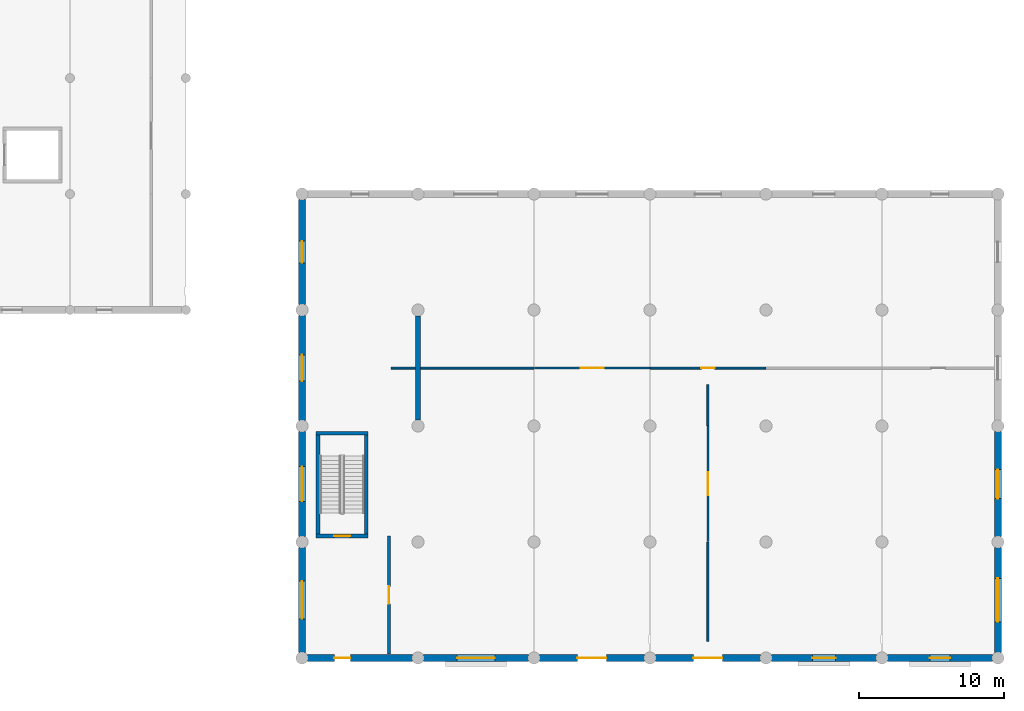
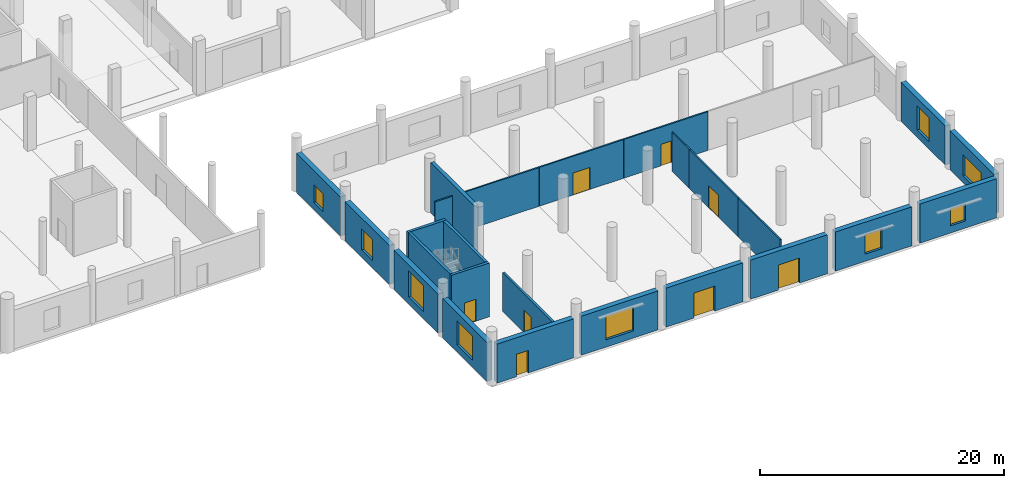
# One storey, part 28 of 42: 25 walls, 9 windows, 8 doors, 17 openings.
"""IFC4 building model written with IfcOpenShell, lengths in metres."""

import ifcopenshell
import ifcopenshell.guid

model = None  # the IFC model being written
_history = None  # IfcOwnerHistory: only IFC2X3 demands one
_inside = {}  # id of a spatial element -> (the spatial element, [elements in it])
_under = {}  # id of a project, library or spatial element -> (it, [spatial elements below it])
_declared = {}  # id of a project -> (the project, [libraries it declares])
_typed = {}  # id of a type object -> (the type object, [elements of that type])
_made_of = {}  # id of a material, layer set ... -> (it, [elements and type objects made of it])


def new_model(schema):
    """Start an empty IFC model of exactly this schema.

    Asked for "IFC4X3", IfcOpenShell would pick the latest addendum, in which some entities
    have other attributes; the version numbers below select the first issue.
    IFC2X3 requires an IfcOwnerHistory on every rooted entity: one is made here for all.
    """
    global model, _history
    if schema == "IFC4X3":
        model = ifcopenshell.file(schema_version=(4, 3, 0, 0))
    else:
        model = ifcopenshell.file(schema=schema)
    _inside.clear()
    _under.clear()
    _declared.clear()
    _typed.clear()
    _made_of.clear()
    _history = None
    if model.schema == "IFC2X3":
        org = make("IfcOrganization", Name="unknown")
        user = make(
            "IfcPersonAndOrganization",
            ThePerson=make("IfcPerson", FamilyName="unknown"),
            TheOrganization=org,
        )
        app = make(
            "IfcApplication",
            ApplicationDeveloper=org,
            Version="unknown",
            ApplicationFullName="unknown",
            ApplicationIdentifier="unknown",
        )
        _history = make(
            "IfcOwnerHistory",
            OwningUser=user,
            OwningApplication=app,
            ChangeAction="ADDED",
            CreationDate=0,
        )
    return model


def make(cls, **values):
    """One entity of the class cls with the attributes given. An attribute that is None is left unset."""
    return model.create_entity(
        cls, **{name: value for name, value in values.items() if value is not None}
    )


def rooted(cls, **values):
    """An entity with a GlobalId (a new one), such as an element, a storey or a relation."""
    return make(cls, GlobalId=ifcopenshell.guid.new(), OwnerHistory=_history, **values)


def si_unit(unit_type, name, prefix=None):
    """IfcSIUnit, for example si_unit("LENGTHUNIT", "METRE", prefix="MILLI")."""
    return make("IfcSIUnit", UnitType=unit_type, Prefix=prefix, Name=name)


def assignment(units):
    """IfcUnitAssignment: the units of a project."""
    return None if units is None else make("IfcUnitAssignment", Units=units)


def point(xyz):
    """IfcCartesianPoint."""
    return None if xyz is None else make("IfcCartesianPoint", Coordinates=xyz)


def direction(xyz):
    """IfcDirection."""
    return None if xyz is None else make("IfcDirection", DirectionRatios=xyz)


def frame(location, z_axis=None, x_axis=None):
    """IfcAxis2Placement3D, a coordinate frame: its origin and axes. An axis left out is left unset."""
    return make(
        "IfcAxis2Placement3D",
        Location=point(location),
        Axis=direction(z_axis),
        RefDirection=direction(x_axis),
    )


def frame_2d(location, x_axis=None):
    """IfcAxis2Placement2D, a coordinate frame in the plane: its origin and x axis."""
    return make(
        "IfcAxis2Placement2D", Location=point(location), RefDirection=direction(x_axis)
    )


def origin():
    """The frame at (0, 0, 0) with its axes left unset."""
    return frame((0.0, 0.0, 0.0))


def place(relative_to, where):
    """IfcLocalPlacement: puts the frame where relative to a parent placement (None: the world)."""
    return make(
        "IfcLocalPlacement", PlacementRelTo=relative_to, RelativePlacement=where
    )


def context(
    kind, dimensions, precision=None, world=None, true_north=None, identifier=None
):
    """IfcGeometricRepresentationContext, for example the 3D "Model" context."""
    return make(
        "IfcGeometricRepresentationContext",
        ContextIdentifier=identifier,
        ContextType=kind,
        CoordinateSpaceDimension=dimensions,
        Precision=precision,
        WorldCoordinateSystem=world,
        TrueNorth=true_north,
    )


def subcontext(parent, identifier, kind, view, scale=None):
    """IfcGeometricRepresentationSubContext, for example "Body" below "Model"."""
    return make(
        "IfcGeometricRepresentationSubContext",
        ContextIdentifier=identifier,
        ContextType=kind,
        ParentContext=parent,
        TargetScale=scale,
        TargetView=view,
    )


def project(units=None, contexts=None):
    """IfcProject with its units and contexts."""
    return rooted(
        "IfcProject",
        Name="project",
        RepresentationContexts=contexts,
        UnitsInContext=assignment(units),
    )


def spatial(cls, under=None, at=None, **own):
    """A site, building, storey or space (cls), placed at a placement, below another one or the project."""
    s = rooted(cls, ObjectPlacement=at, **own)
    if under is not None:
        _under.setdefault(under.id(), (under, []))[1].append(s)
    return s


def profile(cls, at=None, kind="AREA", **sizes):
    """A parametric profile (cls). Its sizes go by their IFC names, for example OverallWidth=200.0."""
    return make(cls, ProfileType=kind, Position=at, **sizes)


def rectangle(**sizes):
    """IfcRectangleProfileDef."""
    return profile("IfcRectangleProfileDef", **sizes)


def extrude(swept, where, along, depth):
    """IfcExtrudedAreaSolid: the profile swept, set in the frame where, extruded along a direction by depth."""
    return make(
        "IfcExtrudedAreaSolid",
        SweptArea=swept,
        Position=where,
        ExtrudedDirection=direction(along),
        Depth=depth,
    )


def shape(context_of_items, identifier, shape_type, items):
    """IfcShapeRepresentation: the items that make up one representation, for example the "Body"."""
    return make(
        "IfcShapeRepresentation",
        ContextOfItems=context_of_items,
        RepresentationIdentifier=identifier,
        RepresentationType=shape_type,
        Items=items,
    )


def material(Name=None, Category=None):
    """IfcMaterial."""
    return make("IfcMaterial", Name=Name, Category=Category)


def layer(
    of_material, thickness, ventilated=None, Name=None, Category=None, Priority=None
):
    """IfcMaterialLayer: one layer of a wall or slab, of a material (None: an air gap)."""
    return make(
        "IfcMaterialLayer",
        Material=of_material,
        LayerThickness=thickness,
        IsVentilated=ventilated,
        Name=Name,
        Category=Category,
        Priority=Priority,
    )


def layer_set(layers, Name=None):
    """IfcMaterialLayerSet."""
    return make("IfcMaterialLayerSet", MaterialLayers=layers, LayerSetName=Name)


def made_of(thing, what):
    """Note that an element or type object is made of a material, layer set ...; save() writes the relation."""
    if what is not None:
        _made_of.setdefault(what.id(), (what, []))[1].append(thing)
    return thing


def type_object(cls, material=None, **own):
    """A type object (cls), such as IfcWallType, which elements share."""
    return made_of(rooted(cls, **own), material)


def element(
    cls,
    number,
    at=None,
    inside=None,
    cuts=None,
    type_object=None,
    material=None,
    context=None,
    identifier="Body",
    shape_type=None,
    held_by="IfcProductDefinitionShape",
    body=None,
    shapes=None,
    **own,
):
    """One element of the class cls, such as IfcWall. Its Tag is "e" and its number.

    at: its placement. inside: the storey or other place that contains it. cuts: it is an
    opening in that element (IfcRelVoidsElement). A single representation is given by context,
    identifier, shape_type and body (its items); several are given by shapes. held_by: the class
    of the entity that holds the representations. save() writes the other relations.
    """
    e = rooted(cls, Tag="e%d" % number, ObjectPlacement=at, **own)
    if body is not None:
        shapes = [shape(context, identifier, shape_type, body)]
    if shapes is not None:
        e.Representation = make(held_by, Representations=shapes)
    if inside is not None:
        _inside.setdefault(inside.id(), (inside, []))[1].append(e)
    if cuts is not None:
        rooted(
            "IfcRelVoidsElement", RelatingBuildingElement=cuts, RelatedOpeningElement=e
        )
    if type_object is not None:
        _typed.setdefault(type_object.id(), (type_object, []))[1].append(e)
    return made_of(e, material)


def fill(opening, filler):
    """IfcRelFillsElement: the door or window that sits in an opening."""
    return rooted(
        "IfcRelFillsElement",
        RelatingOpeningElement=opening,
        RelatedBuildingElement=filler,
    )


def aggregate(whole, parts):
    """IfcRelAggregates: a whole, such as a stair, and the parts it consists of."""
    return rooted("IfcRelAggregates", RelatingObject=whole, RelatedObjects=parts)


def save(model, path):
    """Write the relations noted so far, then the file.

    IfcRelAggregates (storeys below a building ...), IfcRelContainedInSpatialStructure (elements
    in a storey), IfcRelDefinesByType, IfcRelAssociatesMaterial and IfcRelDeclares: one each for
    every whole, place, type object, material and project.
    """
    for whole, parts in _under.values():
        aggregate(whole, parts)
    for where, things in _inside.values():
        rooted(
            "IfcRelContainedInSpatialStructure",
            RelatedElements=things,
            RelatingStructure=where,
        )
    for kind, things in _typed.values():
        rooted("IfcRelDefinesByType", RelatedObjects=things, RelatingType=kind)
    for what, things in _made_of.values():
        rooted("IfcRelAssociatesMaterial", RelatedObjects=things, RelatingMaterial=what)
    for by, libraries in _declared.values():
        rooted("IfcRelDeclares", RelatingContext=by, RelatedDefinitions=libraries)
    model.write(path)


model = new_model("IFC4")

# Units and contexts
model_context = context("Model", 3, precision=1e-05, world=origin(), true_north=direction((0.0, 1.0)))
body_context = subcontext(model_context, "Body", "Model", "MODEL_VIEW")
ifc_project = project(units=[si_unit("LENGTHUNIT", "METRE"), si_unit("AREAUNIT", "SQUARE_METRE"), si_unit("VOLUMEUNIT", "CUBIC_METRE"), si_unit("PLANEANGLEUNIT", "RADIAN"), si_unit("MASSUNIT", "GRAM", prefix="KILO")], contexts=[model_context])

# Site, building, storey
site_placement = place(None, origin())
site = spatial("IfcSite", under=ifc_project, at=site_placement, CompositionType="ELEMENT")
building_placement = place(site_placement, origin())
building = spatial("IfcBuilding", under=site, at=building_placement, Name="Pecanmere Concourse Central Library", CompositionType="ELEMENT")
storey_placement = place(building_placement, origin())
storey = spatial("IfcBuildingStorey", under=building, at=storey_placement, Name="L01", CompositionType="ELEMENT", Elevation=0.0)

# Wall, opening, door
ifc_material_1 = material(Name="Texas sunset granite ashlar", Category="masonry")
ifc_layer_1 = layer(ifc_material_1, 0.47998046875, Name="EW_GRAN_480")
ifc_layer_set_1 = layer_set([ifc_layer_1], Name="Texas sunset granite ashlar")
wall_type_1 = type_object("IfcWallType", Name="EW_GRAN_480", PredefinedType="STANDARD", material=ifc_layer_set_1)
wall_1_placement = place(storey_placement, frame((128.3779296875, 0.0, 0.0), z_axis=(0.0, 0.0, 1.0), x_axis=(1.0, 0.0, 0.0)))
wall_1 = element("IfcWall", 1, at=wall_1_placement, inside=storey, type_object=wall_type_1, Name="Limestone Facade Wall L01-0030", PredefinedType="STANDARD", context=body_context, shape_type="SweptSolid", body=[
    extrude(rectangle(XDim=7.244140625, YDim=0.47998046875, at=frame_2d((3.6220703125, 0.0))), origin(), (0.0, 0.0, 1.0), 3.909912109375),
])
opening_1_placement = place(wall_1_placement, frame((1.85009765625, 0.0, 0.0)))
opening_1 = element("IfcOpeningElement", 2, at=opening_1_placement, cuts=wall_1, Name="Opening ED-04", PredefinedType="OPENING", context=body_context, shape_type="SweptSolid", body=[
    extrude(rectangle(XDim=1.10009765625, YDim=2.25, at=frame_2d((0.550048828125, 1.125))), frame((0.0, 0.251953125, 0.0), z_axis=(0.0, -1.0, 0.0), x_axis=(1.0, 0.0, 0.0)), (0.0, 0.0, 1.0), 0.50390625),
])
ifc_material_2 = material(Name="Anodized bronze aluminium alloy 6063-T6", Category="aluminium")
door_type_1 = type_object("IfcDoorType", Name="ED-04", OperationType="SINGLE_SWING_LEFT", PredefinedType="DOOR", material=ifc_material_2)
door_1_placement = place(opening_1_placement, frame((1.10009765625, 0.0, 0.0), z_axis=(0.0, 0.0, 1.0), x_axis=(-1.0, 0.0, 0.0)))
door_1 = element("IfcDoor", 3, at=door_1_placement, inside=storey, type_object=door_type_1, Name="ED-013", OperationType="SINGLE_SWING_LEFT", OverallHeight=2.25, OverallWidth=1.10009765625, PredefinedType="DOOR", context=body_context, shape_type="SweptSolid", body=[
    extrude(rectangle(XDim=1.10009765625, YDim=2.25, at=frame_2d((0.550048828125, 1.125))), frame((0.0, 0.02490234375, 0.0), z_axis=(0.0, -1.0, 0.0), x_axis=(1.0, 0.0, 0.0)), (0.0, 0.0, 1.0), 0.050048828125),
])
fill(opening_1, door_1)

# Wall, opening, window
wall_2_placement = place(storey_placement, frame((136.3779296875, 0.0, 0.0), z_axis=(0.0, 0.0, 1.0), x_axis=(1.0, 0.0, 0.0)))
wall_2 = element("IfcWall", 4, at=wall_2_placement, inside=storey, type_object=wall_type_1, Name="Limestone Facade Wall L01-0032", PredefinedType="STANDARD", context=body_context, shape_type="SweptSolid", body=[
    extrude(rectangle(XDim=7.244140625, YDim=0.47998046875, at=frame_2d((3.6220703125, 0.0))), origin(), (0.0, 0.0, 1.0), 3.909912109375),
])
opening_2_placement = place(wall_2_placement, frame((2.322021484375, 0.0, 0.719970703125)))
opening_2 = element("IfcOpeningElement", 5, at=opening_2_placement, cuts=wall_2, Name="Opening WN-15", PredefinedType="OPENING", context=body_context, shape_type="SweptSolid", body=[
    extrude(rectangle(XDim=2.60009765625, YDim=2.39990234375, at=frame_2d((1.300048828125, 1.199951171875))), frame((0.0, 0.251953125, 0.0), z_axis=(0.0, -1.0, 0.0), x_axis=(1.0, 0.0, 0.0)), (0.0, 0.0, 1.0), 0.50390625),
])
ifc_material_3 = material(Name="Low-iron clear insulated glazing", Category="glass")
window_type_1 = type_object("IfcWindowType", Name="WIN_2600x2400", PartitioningType="SINGLE_PANEL", PredefinedType="WINDOW", material=ifc_material_3)
window_1_placement = place(opening_2_placement, origin())
window_1 = element("IfcWindow", 6, at=window_1_placement, inside=storey, type_object=window_type_1, Name="WN-019", OverallHeight=2.39990234375, OverallWidth=2.60009765625, PartitioningType="SINGLE_PANEL", PredefinedType="WINDOW", context=body_context, shape_type="SweptSolid", body=[
    extrude(rectangle(XDim=2.60009765625, YDim=2.39990234375, at=frame_2d((1.300048828125, 1.199951171875))), frame((0.0, 0.030029296875, 0.0), z_axis=(0.0, -1.0, 0.0), x_axis=(1.0, 0.0, 0.0)), (0.0, 0.0, 1.0), 0.06005859375),
])
fill(opening_2, window_1)

# Wall, opening, door
wall_3_placement = place(storey_placement, frame((144.3779296875, 0.0, 0.0), z_axis=(0.0, 0.0, 1.0), x_axis=(1.0, 0.0, 0.0)))
wall_3 = element("IfcWall", 7, at=wall_3_placement, inside=storey, type_object=wall_type_1, Name="Limestone Facade Wall L01-0034", PredefinedType="STANDARD", context=body_context, shape_type="SweptSolid", body=[
    extrude(rectangle(XDim=7.244140625, YDim=0.47998046875, at=frame_2d((3.6220703125, 0.0))), origin(), (0.0, 0.0, 1.0), 3.909912109375),
])
opening_3_placement = place(wall_3_placement, frame((2.6220703125, 0.0, 0.0)))
opening_3 = element("IfcOpeningElement", 8, at=opening_3_placement, cuts=wall_3, Name="Opening ED-02", PredefinedType="OPENING", context=body_context, shape_type="SweptSolid", body=[
    extrude(rectangle(XDim=2.0, YDim=2.5, at=frame_2d((1.0, 1.25))), frame((0.0, 0.251953125, 0.0), z_axis=(0.0, -1.0, 0.0), x_axis=(1.0, 0.0, 0.0)), (0.0, 0.0, 1.0), 0.50390625),
])
ifc_material_4 = material(Name="Architectural anodized bronze")
door_type_2 = type_object("IfcDoorType", Name="ED-02", OperationType="DOUBLE_DOOR_SINGLE_SWING", PredefinedType="DOOR", material=ifc_material_4)
door_2_placement = place(opening_3_placement, frame((2.0, 0.0, 0.0), z_axis=(0.0, 0.0, 1.0), x_axis=(-1.0, 0.0, 0.0)))
door_2 = element("IfcDoor", 9, at=door_2_placement, inside=storey, type_object=door_type_2, Name="ED-014", OperationType="DOUBLE_DOOR_SINGLE_SWING", OverallHeight=2.5, OverallWidth=2.0, PredefinedType="DOOR", context=body_context, shape_type="SweptSolid", body=[
    extrude(rectangle(XDim=2.0, YDim=2.5, at=frame_2d((1.0, 1.25))), frame((0.0, 0.02490234375, 0.0), z_axis=(0.0, -1.0, 0.0), x_axis=(1.0, 0.0, 0.0)), (0.0, 0.0, 1.0), 0.050048828125),
])
fill(opening_3, door_2)

wall_4_placement = place(storey_placement, frame((152.3779296875, 0.0, 0.0), z_axis=(0.0, 0.0, 1.0), x_axis=(1.0, 0.0, 0.0)))
wall_4 = element("IfcWall", 10, at=wall_4_placement, inside=storey, type_object=wall_type_1, Name="Limestone Facade Wall L01-0036", PredefinedType="STANDARD", context=body_context, shape_type="SweptSolid", body=[
    extrude(rectangle(XDim=7.244140625, YDim=0.47998046875, at=frame_2d((3.6220703125, 0.0))), origin(), (0.0, 0.0, 1.0), 3.909912109375),
])
opening_4_placement = place(wall_4_placement, frame((2.6220703125, 0.0, 0.0)))
opening_4 = element("IfcOpeningElement", 11, at=opening_4_placement, cuts=wall_4, Name="Opening ED-02", PredefinedType="OPENING", context=body_context, shape_type="SweptSolid", body=[
    extrude(rectangle(XDim=2.0, YDim=2.5, at=frame_2d((1.0, 1.25))), frame((0.0, 0.251953125, 0.0), z_axis=(0.0, -1.0, 0.0), x_axis=(1.0, 0.0, 0.0)), (0.0, 0.0, 1.0), 0.50390625),
])
door_3_placement = place(opening_4_placement, frame((2.0, 0.0, 0.0), z_axis=(0.0, 0.0, 1.0), x_axis=(-1.0, 0.0, 0.0)))
door_3 = element("IfcDoor", 12, at=door_3_placement, inside=storey, type_object=door_type_2, Name="ED-015", OperationType="DOUBLE_DOOR_SINGLE_SWING", OverallHeight=2.5, OverallWidth=2.0, PredefinedType="DOOR", context=body_context, shape_type="SweptSolid", body=[
    extrude(rectangle(XDim=2.0, YDim=2.5, at=frame_2d((1.0, 1.25))), frame((0.0, 0.02490234375, 0.0), z_axis=(0.0, -1.0, 0.0), x_axis=(1.0, 0.0, 0.0)), (0.0, 0.0, 1.0), 0.050048828125),
])
fill(opening_4, door_3)

# Wall, opening, window
wall_5_placement = place(storey_placement, frame((160.3779296875, 0.0, 0.0), z_axis=(0.0, 0.0, 1.0), x_axis=(1.0, 0.0, 0.0)))
wall_5 = element("IfcWall", 13, at=wall_5_placement, inside=storey, type_object=wall_type_1, Name="Limestone Facade Wall L01-0038", PredefinedType="STANDARD", context=body_context, shape_type="SweptSolid", body=[
    extrude(rectangle(XDim=7.244140625, YDim=0.47998046875, at=frame_2d((3.6220703125, 0.0))), origin(), (0.0, 0.0, 1.0), 3.909912109375),
])
opening_5_placement = place(wall_5_placement, frame((2.822021484375, 0.0, 0.719970703125)))
opening_5 = element("IfcOpeningElement", 14, at=opening_5_placement, cuts=wall_5, Name="Opening WN-07", PredefinedType="OPENING", context=body_context, shape_type="SweptSolid", body=[
    extrude(rectangle(XDim=1.60009765625, YDim=1.949951171875, at=frame_2d((0.800048828125, 0.97509765625))), frame((0.0, 0.251953125, 0.0), z_axis=(0.0, -1.0, 0.0), x_axis=(1.0, 0.0, 0.0)), (0.0, 0.0, 1.0), 0.50390625),
])
ifc_material_5 = material(Name="Low-iron clear insulated glazing", Category="glass")
window_type_2 = type_object("IfcWindowType", Name="WIN_1600x1950", PartitioningType="SINGLE_PANEL", PredefinedType="WINDOW", material=ifc_material_5)
window_2_placement = place(opening_5_placement, origin())
window_2 = element("IfcWindow", 15, at=window_2_placement, inside=storey, type_object=window_type_2, Name="WN-023", OverallHeight=1.949951171875, OverallWidth=1.60009765625, PartitioningType="SINGLE_PANEL", PredefinedType="WINDOW", context=body_context, shape_type="SweptSolid", body=[
    extrude(rectangle(XDim=1.60009765625, YDim=1.949951171875, at=frame_2d((0.800048828125, 0.97509765625))), frame((0.0, 0.030029296875, 0.0), z_axis=(0.0, -1.0, 0.0), x_axis=(1.0, 0.0, 0.0)), (0.0, 0.0, 1.0), 0.06005859375),
])
fill(opening_5, window_2)

wall_6_placement = place(storey_placement, frame((168.3779296875, 0.0, 0.0), z_axis=(0.0, 0.0, 1.0), x_axis=(1.0, 0.0, 0.0)))
wall_6 = element("IfcWall", 16, at=wall_6_placement, inside=storey, type_object=wall_type_1, Name="Limestone Facade Wall L01-0040", PredefinedType="STANDARD", context=body_context, shape_type="SweptSolid", body=[
    extrude(rectangle(XDim=7.244140625, YDim=0.47998046875, at=frame_2d((3.6220703125, 0.0))), origin(), (0.0, 0.0, 1.0), 3.909912109375),
])
opening_6_placement = place(wall_6_placement, frame((2.922119140625, 0.0, 0.719970703125)))
opening_6 = element("IfcOpeningElement", 17, at=opening_6_placement, cuts=wall_6, Name="Opening WN-11", PredefinedType="OPENING", context=body_context, shape_type="SweptSolid", body=[
    extrude(rectangle(XDim=1.39990234375, YDim=1.699951171875, at=frame_2d((0.699951171875, 0.85009765625))), frame((0.0, 0.251953125, 0.0), z_axis=(0.0, -1.0, 0.0), x_axis=(1.0, 0.0, 0.0)), (0.0, 0.0, 1.0), 0.50390625),
])
ifc_material_6 = material(Name="Low-iron clear insulated glazing", Category="glass")
window_type_3 = type_object("IfcWindowType", Name="WIN_1400x1700", PartitioningType="SINGLE_PANEL", PredefinedType="WINDOW", material=ifc_material_6)
window_3_placement = place(opening_6_placement, origin())
window_3 = element("IfcWindow", 18, at=window_3_placement, inside=storey, type_object=window_type_3, Name="WN-025", OverallHeight=1.699951171875, OverallWidth=1.39990234375, PartitioningType="SINGLE_PANEL", PredefinedType="WINDOW", context=body_context, shape_type="SweptSolid", body=[
    extrude(rectangle(XDim=1.39990234375, YDim=1.699951171875, at=frame_2d((0.699951171875, 0.85009765625))), frame((0.0, 0.030029296875, 0.0), z_axis=(0.0, -1.0, 0.0), x_axis=(1.0, 0.0, 0.0)), (0.0, 0.0, 1.0), 0.06005859375),
])
fill(opening_6, window_3)

wall_7_placement = place(storey_placement, frame((128.0, 7.6220703125, 0.0), z_axis=(0.0, 0.0, 1.0), x_axis=(0.0, -1.0, 0.0)))
wall_7 = element("IfcWall", 19, at=wall_7_placement, inside=storey, type_object=wall_type_1, Name="Limestone Facade Wall L01-0042", PredefinedType="STANDARD", context=body_context, shape_type="SweptSolid", body=[
    extrude(rectangle(XDim=7.244140625, YDim=0.47998046875, at=frame_2d((3.6220703125, 0.0))), origin(), (0.0, 0.0, 1.0), 3.909912109375),
])
opening_7_placement = place(wall_7_placement, frame((2.322021484375, 0.0, 0.719970703125)))
opening_7 = element("IfcOpeningElement", 20, at=opening_7_placement, cuts=wall_7, Name="Opening WN-15", PredefinedType="OPENING", context=body_context, shape_type="SweptSolid", body=[
    extrude(rectangle(XDim=2.60009765625, YDim=2.39990234375, at=frame_2d((1.300048828125, 1.199951171875))), frame((0.0, 0.251953125, 0.0), z_axis=(0.0, -1.0, 0.0), x_axis=(1.0, 0.0, 0.0)), (0.0, 0.0, 1.0), 0.50390625),
])
window_4_placement = place(opening_7_placement, origin())
window_4 = element("IfcWindow", 21, at=window_4_placement, inside=storey, type_object=window_type_1, Name="WN-027", OverallHeight=2.39990234375, OverallWidth=2.60009765625, PartitioningType="SINGLE_PANEL", PredefinedType="WINDOW", context=body_context, shape_type="SweptSolid", body=[
    extrude(rectangle(XDim=2.60009765625, YDim=2.39990234375, at=frame_2d((1.300048828125, 1.199951171875))), frame((0.0, 0.030029296875, 0.0), z_axis=(0.0, -1.0, 0.0), x_axis=(1.0, 0.0, 0.0)), (0.0, 0.0, 1.0), 0.06005859375),
])
fill(opening_7, window_4)

wall_8_placement = place(storey_placement, frame((176.0, 0.3779296875, 0.0), z_axis=(0.0, 0.0, 1.0), x_axis=(0.0, 1.0, 0.0)))
wall_8 = element("IfcWall", 22, at=wall_8_placement, inside=storey, type_object=wall_type_1, Name="Limestone Facade Wall L01-0043", PredefinedType="STANDARD", context=body_context, shape_type="SweptSolid", body=[
    extrude(rectangle(XDim=7.244140625, YDim=0.47998046875, at=frame_2d((3.6220703125, 0.0))), origin(), (0.0, 0.0, 1.0), 3.909912109375),
])
opening_8_placement = place(wall_8_placement, frame((2.1220703125, 0.0, 0.719970703125)))
opening_8 = element("IfcOpeningElement", 23, at=opening_8_placement, cuts=wall_8, Name="Opening WN-17", PredefinedType="OPENING", context=body_context, shape_type="SweptSolid", body=[
    extrude(rectangle(XDim=3.0, YDim=2.10009765625, at=frame_2d((1.5, 1.050048828125))), frame((0.0, 0.251953125, 0.0), z_axis=(0.0, -1.0, 0.0), x_axis=(1.0, 0.0, 0.0)), (0.0, 0.0, 1.0), 0.50390625),
])
ifc_material_7 = material(Name="Low-iron clear insulated glazing", Category="glass")
window_type_4 = type_object("IfcWindowType", Name="WIN_3000x2100", PartitioningType="SINGLE_PANEL", PredefinedType="WINDOW", material=ifc_material_7)
window_5_placement = place(opening_8_placement, origin())
window_5 = element("IfcWindow", 24, at=window_5_placement, inside=storey, type_object=window_type_4, Name="WN-028", OverallHeight=2.10009765625, OverallWidth=3.0, PartitioningType="SINGLE_PANEL", PredefinedType="WINDOW", context=body_context, shape_type="SweptSolid", body=[
    extrude(rectangle(XDim=3.0, YDim=2.10009765625, at=frame_2d((1.5, 1.050048828125))), frame((0.0, 0.030029296875, 0.0), z_axis=(0.0, -1.0, 0.0), x_axis=(1.0, 0.0, 0.0)), (0.0, 0.0, 1.0), 0.06005859375),
])
fill(opening_8, window_5)

wall_9_placement = place(storey_placement, frame((128.0, 15.6220703125, 0.0), z_axis=(0.0, 0.0, 1.0), x_axis=(0.0, -1.0, 0.0)))
wall_9 = element("IfcWall", 25, at=wall_9_placement, inside=storey, type_object=wall_type_1, Name="Limestone Facade Wall L01-0044", PredefinedType="STANDARD", context=body_context, shape_type="SweptSolid", body=[
    extrude(rectangle(XDim=7.244140625, YDim=0.47998046875, at=frame_2d((3.6220703125, 0.0))), origin(), (0.0, 0.0, 1.0), 3.909912109375),
])
opening_9_placement = place(wall_9_placement, frame((2.422119140625, 0.0, 0.719970703125)))
opening_9 = element("IfcOpeningElement", 26, at=opening_9_placement, cuts=wall_9, Name="Opening WN-01", PredefinedType="OPENING", context=body_context, shape_type="SweptSolid", body=[
    extrude(rectangle(XDim=2.39990234375, YDim=2.60009765625, at=frame_2d((1.199951171875, 1.300048828125))), frame((0.0, 0.251953125, 0.0), z_axis=(0.0, -1.0, 0.0), x_axis=(1.0, 0.0, 0.0)), (0.0, 0.0, 1.0), 0.50390625),
])
ifc_material_8 = material(Name="Low-iron clear insulated glazing", Category="glass")
window_type_5 = type_object("IfcWindowType", Name="WIN_2400x2600", PartitioningType="SINGLE_PANEL", PredefinedType="WINDOW", material=ifc_material_8)
window_6_placement = place(opening_9_placement, origin())
window_6 = element("IfcWindow", 27, at=window_6_placement, inside=storey, type_object=window_type_5, Name="WN-029", OverallHeight=2.60009765625, OverallWidth=2.39990234375, PartitioningType="SINGLE_PANEL", PredefinedType="WINDOW", context=body_context, shape_type="SweptSolid", body=[
    extrude(rectangle(XDim=2.39990234375, YDim=2.60009765625, at=frame_2d((1.199951171875, 1.300048828125))), frame((0.0, 0.030029296875, 0.0), z_axis=(0.0, -1.0, 0.0), x_axis=(1.0, 0.0, 0.0)), (0.0, 0.0, 1.0), 0.06005859375),
])
fill(opening_9, window_6)

wall_10_placement = place(storey_placement, frame((176.0, 8.3779296875, 0.0), z_axis=(0.0, 0.0, 1.0), x_axis=(0.0, 1.0, 0.0)))
wall_10 = element("IfcWall", 28, at=wall_10_placement, inside=storey, type_object=wall_type_1, Name="Limestone Facade Wall L01-0045", PredefinedType="STANDARD", context=body_context, shape_type="SweptSolid", body=[
    extrude(rectangle(XDim=7.244140625, YDim=0.47998046875, at=frame_2d((3.6220703125, 0.0))), origin(), (0.0, 0.0, 1.0), 3.909912109375),
])
opening_10_placement = place(wall_10_placement, frame((2.6220703125, 0.0, 0.719970703125)))
opening_10 = element("IfcOpeningElement", 29, at=opening_10_placement, cuts=wall_10, Name="Opening WN-03", PredefinedType="OPENING", context=body_context, shape_type="SweptSolid", body=[
    extrude(rectangle(XDim=2.0, YDim=2.39990234375, at=frame_2d((1.0, 1.199951171875))), frame((0.0, 0.251953125, 0.0), z_axis=(0.0, -1.0, 0.0), x_axis=(1.0, 0.0, 0.0)), (0.0, 0.0, 1.0), 0.50390625),
])
ifc_material_9 = material(Name="Low-iron clear insulated glazing", Category="glass")
window_type_6 = type_object("IfcWindowType", Name="WIN_2000x2400", PartitioningType="SINGLE_PANEL", PredefinedType="WINDOW", material=ifc_material_9)
window_7_placement = place(opening_10_placement, origin())
window_7 = element("IfcWindow", 30, at=window_7_placement, inside=storey, type_object=window_type_6, Name="WN-030", OverallHeight=2.39990234375, OverallWidth=2.0, PartitioningType="SINGLE_PANEL", PredefinedType="WINDOW", context=body_context, shape_type="SweptSolid", body=[
    extrude(rectangle(XDim=2.0, YDim=2.39990234375, at=frame_2d((1.0, 1.199951171875))), frame((0.0, 0.030029296875, 0.0), z_axis=(0.0, -1.0, 0.0), x_axis=(1.0, 0.0, 0.0)), (0.0, 0.0, 1.0), 0.06005859375),
])
fill(opening_10, window_7)

wall_11_placement = place(storey_placement, frame((128.0, 23.6220703125, 0.0), z_axis=(0.0, 0.0, 1.0), x_axis=(0.0, -1.0, 0.0)))
wall_11 = element("IfcWall", 31, at=wall_11_placement, inside=storey, type_object=wall_type_1, Name="Limestone Facade Wall L01-0046", PredefinedType="STANDARD", context=body_context, shape_type="SweptSolid", body=[
    extrude(rectangle(XDim=7.244140625, YDim=0.47998046875, at=frame_2d((3.6220703125, 0.0))), origin(), (0.0, 0.0, 1.0), 3.909912109375),
])
opening_11_placement = place(wall_11_placement, frame((2.721923828125, 0.0, 0.719970703125)))
opening_11 = element("IfcOpeningElement", 32, at=opening_11_placement, cuts=wall_11, Name="Opening WN-05", PredefinedType="OPENING", context=body_context, shape_type="SweptSolid", body=[
    extrude(rectangle(XDim=1.800048828125, YDim=2.10009765625, at=frame_2d((0.89990234375, 1.050048828125))), frame((0.0, 0.251953125, 0.0), z_axis=(0.0, -1.0, 0.0), x_axis=(1.0, 0.0, 0.0)), (0.0, 0.0, 1.0), 0.50390625),
])
ifc_material_10 = material(Name="Low-iron clear insulated glazing", Category="glass")
window_type_7 = type_object("IfcWindowType", Name="WIN_1800x2100", PartitioningType="SINGLE_PANEL", PredefinedType="WINDOW", material=ifc_material_10)
window_8_placement = place(opening_11_placement, origin())
window_8 = element("IfcWindow", 33, at=window_8_placement, inside=storey, type_object=window_type_7, Name="WN-031", OverallHeight=2.10009765625, OverallWidth=1.800048828125, PartitioningType="SINGLE_PANEL", PredefinedType="WINDOW", context=body_context, shape_type="SweptSolid", body=[
    extrude(rectangle(XDim=1.800048828125, YDim=2.10009765625, at=frame_2d((0.89990234375, 1.050048828125))), frame((0.0, 0.030029296875, 0.0), z_axis=(0.0, -1.0, 0.0), x_axis=(1.0, 0.0, 0.0)), (0.0, 0.0, 1.0), 0.06005859375),
])
fill(opening_11, window_8)

wall_12_placement = place(storey_placement, frame((128.0, 31.6220703125, 0.0), z_axis=(0.0, 0.0, 1.0), x_axis=(0.0, -1.0, 0.0)))
wall_12 = element("IfcWall", 34, at=wall_12_placement, inside=storey, type_object=wall_type_1, Name="Limestone Facade Wall L01-0048", PredefinedType="STANDARD", context=body_context, shape_type="SweptSolid", body=[
    extrude(rectangle(XDim=7.244140625, YDim=0.47998046875, at=frame_2d((3.6220703125, 0.0))), origin(), (0.0, 0.0, 1.0), 3.909912109375),
])
opening_12_placement = place(wall_12_placement, frame((2.8720703125, 0.0, 0.719970703125)))
opening_12 = element("IfcOpeningElement", 35, at=opening_12_placement, cuts=wall_12, Name="Opening WN-09", PredefinedType="OPENING", context=body_context, shape_type="SweptSolid", body=[
    extrude(rectangle(XDim=1.5, YDim=1.800048828125, at=frame_2d((0.75, 0.89990234375))), frame((0.0, 0.251953125, 0.0), z_axis=(0.0, -1.0, 0.0), x_axis=(1.0, 0.0, 0.0)), (0.0, 0.0, 1.0), 0.50390625),
])
ifc_material_11 = material(Name="Low-iron clear insulated glazing", Category="glass")
window_type_8 = type_object("IfcWindowType", Name="WIN_1500x1800", PartitioningType="SINGLE_PANEL", PredefinedType="WINDOW", material=ifc_material_11)
window_9_placement = place(opening_12_placement, origin())
window_9 = element("IfcWindow", 36, at=window_9_placement, inside=storey, type_object=window_type_8, Name="WN-033", OverallHeight=1.800048828125, OverallWidth=1.5, PartitioningType="SINGLE_PANEL", PredefinedType="WINDOW", context=body_context, shape_type="SweptSolid", body=[
    extrude(rectangle(XDim=1.5, YDim=1.800048828125, at=frame_2d((0.75, 0.89990234375))), frame((0.0, 0.030029296875, 0.0), z_axis=(0.0, -1.0, 0.0), x_axis=(1.0, 0.0, 0.0)), (0.0, 0.0, 1.0), 0.06005859375),
])
fill(opening_12, window_9)

# Walls
ifc_material_12 = material(Name="Fire-rated gypsum board on acoustic steel stud", Category="steel")
ifc_layer_2 = layer(ifc_material_12, 0.135009765625, Name="IW_PART_135")
ifc_layer_set_2 = layer_set([ifc_layer_2], Name="Fire-rated gypsum board on acoustic steel stud")
wall_type_2 = type_object("IfcWallType", Name="IW_PART_135", PredefinedType="PARTITIONING", material=ifc_layer_set_2)
wall_13_placement = place(storey_placement, frame((134.14990234375, 20.0, 0.0), z_axis=(0.0, 0.0, 1.0), x_axis=(1.0, 0.0, 0.0)))
element("IfcWall", 37, at=wall_13_placement, inside=storey, type_object=wall_type_2, Name="Interior Partition L01-0095", PredefinedType="PARTITIONING", context=body_context, shape_type="SweptSolid", body=[
    extrude(rectangle(XDim=1.6650390625, YDim=0.135009765625, at=frame_2d((0.83251953125, 0.0))), origin(), (0.0, 0.0, 1.0), 3.8798828125),
])
wall_14_placement = place(storey_placement, frame((136.18505859375, 20.0, 0.0), z_axis=(0.0, 0.0, 1.0), x_axis=(1.0, 0.0, 0.0)))
element("IfcWall", 38, at=wall_14_placement, inside=storey, type_object=wall_type_2, Name="Interior Partition L01-0096", PredefinedType="PARTITIONING", context=body_context, shape_type="SweptSolid", body=[
    extrude(rectangle(XDim=7.81494140625, YDim=0.135009765625, at=frame_2d((3.907470703125, 0.0))), origin(), (0.0, 0.0, 1.0), 3.8798828125),
])

# Wall, opening, door
wall_15_placement = place(storey_placement, frame((144.02001953125, 20.0, 0.0), z_axis=(0.0, 0.0, 1.0), x_axis=(1.0, 0.0, 0.0)))
wall_15 = element("IfcWall", 39, at=wall_15_placement, inside=storey, type_object=wall_type_2, Name="Interior Partition L01-0097", PredefinedType="PARTITIONING", context=body_context, shape_type="SweptSolid", body=[
    extrude(rectangle(XDim=7.97998046875, YDim=0.135009765625, at=frame_2d((3.989990234375, 0.0))), origin(), (0.0, 0.0, 1.0), 3.8798828125),
])
opening_13_placement = place(wall_15_placement, frame((3.18994140625, 0.0, 0.0)))
opening_13 = element("IfcOpeningElement", 40, at=opening_13_placement, cuts=wall_15, Name="Opening DT-02", PredefinedType="OPENING", context=body_context, shape_type="SweptSolid", body=[
    extrude(rectangle(XDim=1.60009765625, YDim=2.199951171875, at=frame_2d((0.800048828125, 1.10009765625))), frame((0.0, 0.07958984375, 0.0), z_axis=(0.0, -1.0, 0.0), x_axis=(1.0, 0.0, 0.0)), (0.0, 0.0, 1.0), 0.158935546875),
])
ifc_material_13 = material(Name="Solid white oak architectural joinery")
door_type_3 = type_object("IfcDoorType", Name="DT-02", OperationType="DOUBLE_DOOR_SINGLE_SWING", PredefinedType="DOOR", material=ifc_material_13)
door_4_placement = place(opening_13_placement, frame((1.60009765625, 0.0, 0.0), z_axis=(0.0, 0.0, 1.0), x_axis=(-1.0, 0.0, 0.0)))
door_4 = element("IfcDoor", 41, at=door_4_placement, inside=storey, type_object=door_type_3, Name="D-167", OperationType="DOUBLE_DOOR_SINGLE_SWING", OverallHeight=2.199951171875, OverallWidth=1.60009765625, PredefinedType="DOOR", context=body_context, shape_type="SweptSolid", body=[
    extrude(rectangle(XDim=1.60009765625, YDim=2.199951171875, at=frame_2d((0.800048828125, 1.10009765625))), frame((0.0, 0.02490234375, 0.0), z_axis=(0.0, -1.0, 0.0), x_axis=(1.0, 0.0, 0.0)), (0.0, 0.0, 1.0), 0.050048828125),
])
fill(opening_13, door_4)

wall_16_placement = place(storey_placement, frame((152.02001953125, 20.0, 0.0), z_axis=(0.0, 0.0, 1.0), x_axis=(1.0, 0.0, 0.0)))
wall_16 = element("IfcWall", 42, at=wall_16_placement, inside=storey, type_object=wall_type_2, Name="Interior Partition L01-0098", PredefinedType="PARTITIONING", context=body_context, shape_type="SweptSolid", body=[
    extrude(rectangle(XDim=7.97998046875, YDim=0.135009765625, at=frame_2d((3.989990234375, 0.0))), origin(), (0.0, 0.0, 1.0), 3.8798828125),
])
opening_14_placement = place(wall_16_placement, frame((3.514892578125, 0.0, 0.0)))
opening_14 = element("IfcOpeningElement", 43, at=opening_14_placement, cuts=wall_16, Name="Opening DT-05", PredefinedType="OPENING", context=body_context, shape_type="SweptSolid", body=[
    extrude(rectangle(XDim=0.949951171875, YDim=2.14990234375, at=frame_2d((0.47509765625, 1.074951171875))), frame((0.0, 0.07958984375, 0.0), z_axis=(0.0, -1.0, 0.0), x_axis=(1.0, 0.0, 0.0)), (0.0, 0.0, 1.0), 0.158935546875),
])
ifc_material_14 = material(Name="Solid white oak architectural joinery")
door_type_4 = type_object("IfcDoorType", Name="DT-05", OperationType="SINGLE_SWING_LEFT", PredefinedType="DOOR", material=ifc_material_14)
door_5_placement = place(opening_14_placement, origin())
door_5 = element("IfcDoor", 44, at=door_5_placement, inside=storey, type_object=door_type_4, Name="D-168", OperationType="SINGLE_SWING_LEFT", OverallHeight=2.14990234375, OverallWidth=0.949951171875, PredefinedType="DOOR", context=body_context, shape_type="SweptSolid", body=[
    extrude(rectangle(XDim=0.949951171875, YDim=2.14990234375, at=frame_2d((0.47509765625, 1.074951171875))), frame((0.0, 0.02490234375, 0.0), z_axis=(0.0, -1.0, 0.0), x_axis=(1.0, 0.0, 0.0)), (0.0, 0.0, 1.0), 0.050048828125),
])
fill(opening_14, door_5)

# Wall
wall_17_placement = place(storey_placement, frame((156.0, 1.14990234375, 0.0), z_axis=(0.0, 0.0, 1.0), x_axis=(0.0, 1.0, 0.0)))
element("IfcWall", 45, at=wall_17_placement, inside=storey, type_object=wall_type_2, Name="Interior Partition L01-0101", PredefinedType="PARTITIONING", context=body_context, shape_type="SweptSolid", body=[
    extrude(rectangle(XDim=6.85009765625, YDim=0.135009765625, at=frame_2d((3.425048828125, 0.0))), origin(), (0.0, 0.0, 1.0), 3.8798828125),
])

# Wall, opening, door
wall_18_placement = place(storey_placement, frame((156.0, 8.02001953125, 0.0), z_axis=(0.0, 0.0, 1.0), x_axis=(0.0, 1.0, 0.0)))
wall_18 = element("IfcWall", 46, at=wall_18_placement, inside=storey, type_object=wall_type_2, Name="Interior Partition L01-0102", PredefinedType="PARTITIONING", context=body_context, shape_type="SweptSolid", body=[
    extrude(rectangle(XDim=7.97998046875, YDim=0.135009765625, at=frame_2d((3.989990234375, 0.0))), origin(), (0.0, 0.0, 1.0), 3.8798828125),
])
opening_15_placement = place(wall_18_placement, frame((3.18994140625, 0.0, 0.0)))
opening_15 = element("IfcOpeningElement", 47, at=opening_15_placement, cuts=wall_18, Name="Opening DT-02", PredefinedType="OPENING", context=body_context, shape_type="SweptSolid", body=[
    extrude(rectangle(XDim=1.60009765625, YDim=2.199951171875, at=frame_2d((0.800048828125, 1.10009765625))), frame((0.0, 0.07958984375, 0.0), z_axis=(0.0, -1.0, 0.0), x_axis=(1.0, 0.0, 0.0)), (0.0, 0.0, 1.0), 0.158935546875),
])
door_6_placement = place(opening_15_placement, origin())
door_6 = element("IfcDoor", 48, at=door_6_placement, inside=storey, type_object=door_type_3, Name="D-170", OperationType="DOUBLE_DOOR_SINGLE_SWING", OverallHeight=2.199951171875, OverallWidth=1.60009765625, PredefinedType="DOOR", context=body_context, shape_type="SweptSolid", body=[
    extrude(rectangle(XDim=1.60009765625, YDim=2.199951171875, at=frame_2d((0.800048828125, 1.10009765625))), frame((0.0, 0.02490234375, 0.0), z_axis=(0.0, -1.0, 0.0), x_axis=(1.0, 0.0, 0.0)), (0.0, 0.0, 1.0), 0.050048828125),
])
fill(opening_15, door_6)

# Wall
wall_19_placement = place(storey_placement, frame((156.0, 16.02001953125, 0.0), z_axis=(0.0, 0.0, 1.0), x_axis=(0.0, 1.0, 0.0)))
element("IfcWall", 49, at=wall_19_placement, inside=storey, type_object=wall_type_2, Name="Interior Partition L01-0103", PredefinedType="PARTITIONING", context=body_context, shape_type="SweptSolid", body=[
    extrude(rectangle(XDim=2.830078125, YDim=0.135009765625, at=frame_2d((1.4150390625, 0.0))), origin(), (0.0, 0.0, 1.0), 3.8798828125),
])

# Wall, opening, door
ifc_material_15 = material(Name="Fire-rated gypsum board on acoustic steel stud", Category="steel")
ifc_layer_3 = layer(ifc_material_15, 0.199951171875, Name="IW_PART_200")
ifc_layer_set_3 = layer_set([ifc_layer_3], Name="Fire-rated gypsum board on acoustic steel stud")
wall_type_3 = type_object("IfcWallType", Name="IW_PART_200", PredefinedType="PARTITIONING", material=ifc_layer_set_3)
wall_20_placement = place(storey_placement, frame((134.0, 0.260009765625, 0.0), z_axis=(0.0, 0.0, 1.0), x_axis=(0.0, 1.0, 0.0)))
wall_20 = element("IfcWall", 50, at=wall_20_placement, inside=storey, type_object=wall_type_3, Name="Interior Partition L01-0065", PredefinedType="PARTITIONING", context=body_context, shape_type="SweptSolid", body=[
    extrude(rectangle(XDim=8.159912109375, YDim=0.199951171875, at=frame_2d((4.080078125, 0.0))), origin(), (0.0, 0.0, 1.0), 3.8798828125),
])
opening_16_placement = place(wall_20_placement, frame((3.47998046875, 0.0, 0.0)))
opening_16 = element("IfcOpeningElement", 51, at=opening_16_placement, cuts=wall_20, Name="Opening FD-04", PredefinedType="OPENING", context=body_context, shape_type="SweptSolid", body=[
    extrude(rectangle(XDim=1.199951171875, YDim=2.25, at=frame_2d((0.60009765625, 1.125))), frame((0.0, 0.11181640625, 0.0), z_axis=(0.0, -1.0, 0.0), x_axis=(1.0, 0.0, 0.0)), (0.0, 0.0, 1.0), 0.223876953125),
])
ifc_material_16 = material(Name="Painted architectural steel ASTM A36", Category="steel")
door_type_5 = type_object("IfcDoorType", Name="FD-04", OperationType="SINGLE_SWING_LEFT", PredefinedType="DOOR", material=ifc_material_16)
door_7_placement = place(opening_16_placement, origin())
door_7 = element("IfcDoor", 52, at=door_7_placement, inside=storey, type_object=door_type_5, Name="D-150", OperationType="SINGLE_SWING_LEFT", OverallHeight=2.25, OverallWidth=1.199951171875, PredefinedType="DOOR", context=body_context, shape_type="SweptSolid", body=[
    extrude(rectangle(XDim=1.199951171875, YDim=2.25, at=frame_2d((0.60009765625, 1.125))), frame((0.0, 0.02490234375, 0.0), z_axis=(0.0, -1.0, 0.0), x_axis=(1.0, 0.0, 0.0)), (0.0, 0.0, 1.0), 0.050048828125),
])
fill(opening_16, door_7)

# Wall
ifc_material_17 = material(Name="Concrete C40/50", Category="concrete")
ifc_layer_4 = layer(ifc_material_17, 0.35009765625, Name="WALL_SHR_350")
ifc_layer_set_4 = layer_set([ifc_layer_4], Name="Concrete C40/50")
wall_type_4 = type_object("IfcWallType", Name="WALL_SHR_350", PredefinedType="SHEAR", material=ifc_layer_set_4)
wall_21_placement = place(storey_placement, frame((136.0, 16.419921875, 0.0), z_axis=(0.0, 0.0, 1.0), x_axis=(0.0, 1.0, 0.0)))
element("IfcWall", 53, at=wall_21_placement, inside=storey, type_object=wall_type_4, Name="Lateral Shear Wall L01-036", PredefinedType="SHEAR", context=body_context, shape_type="SweptSolid", body=[
    extrude(rectangle(XDim=7.16015625, YDim=0.35009765625, at=frame_2d((3.580078125, 0.0))), origin(), (0.0, 0.0, 1.0), 5.030029296875),
])

# Wall, opening, door
ifc_material_18 = material(Name="Concrete C40/50", Category="concrete")
ifc_layer_5 = layer(ifc_material_18, 0.260009765625, Name="WALL_SLD_260")
ifc_layer_set_5 = layer_set([ifc_layer_5], Name="Concrete C40/50")
wall_type_5 = type_object("IfcWallType", Name="WALL_SLD_260", PredefinedType="SOLIDWALL", material=ifc_layer_set_5)
wall_22_placement = place(storey_placement, frame((128.97998046875, 8.419921875, 0.0), z_axis=(0.0, 0.0, 1.0), x_axis=(1.0, 0.0, 0.0)))
wall_22 = element("IfcWall", 54, at=wall_22_placement, inside=storey, type_object=wall_type_5, Name="Core C8 South Wall L01", PredefinedType="SOLIDWALL", context=body_context, shape_type="SweptSolid", body=[
    extrude(rectangle(XDim=3.580078125, YDim=0.260009765625, at=frame_2d((1.7900390625, 0.0))), origin(), (0.0, 0.0, 1.0), 5.39990234375),
])
opening_17_placement = place(wall_22_placement, frame((1.239990234375, 0.0, 0.0)))
opening_17 = element("IfcOpeningElement", 55, at=opening_17_placement, cuts=wall_22, Name="Opening FD-02", PredefinedType="OPENING", context=body_context, shape_type="SweptSolid", body=[
    extrude(rectangle(XDim=1.10009765625, YDim=2.199951171875, at=frame_2d((0.550048828125, 1.10009765625))), frame((0.0, 0.14208984375, 0.0), z_axis=(0.0, -1.0, 0.0), x_axis=(1.0, 0.0, 0.0)), (0.0, 0.0, 1.0), 0.283935546875),
])
ifc_material_19 = material(Name="Painted architectural steel ASTM A36", Category="steel")
door_type_6 = type_object("IfcDoorType", Name="FD-02", OperationType="SINGLE_SWING_RIGHT", PredefinedType="DOOR", material=ifc_material_19)
door_8_placement = place(opening_17_placement, frame((1.10009765625, 0.0, 0.0), z_axis=(0.0, 0.0, 1.0), x_axis=(-1.0, 0.0, 0.0)))
door_8 = element("IfcDoor", 56, at=door_8_placement, inside=storey, type_object=door_type_6, Name="D-050", OperationType="SINGLE_SWING_RIGHT", OverallHeight=2.199951171875, OverallWidth=1.10009765625, PredefinedType="DOOR", context=body_context, shape_type="SweptSolid", body=[
    extrude(rectangle(XDim=1.10009765625, YDim=2.199951171875, at=frame_2d((0.550048828125, 1.10009765625))), frame((0.0, 0.02490234375, 0.0), z_axis=(0.0, -1.0, 0.0), x_axis=(1.0, 0.0, 0.0)), (0.0, 0.0, 1.0), 0.050048828125),
])
fill(opening_17, door_8)

# Walls
wall_23_placement = place(storey_placement, frame((128.97998046875, 15.5, 0.0), z_axis=(0.0, 0.0, 1.0), x_axis=(1.0, 0.0, 0.0)))
element("IfcWall", 57, at=wall_23_placement, inside=storey, type_object=wall_type_5, Name="Core C8 North Wall L01", PredefinedType="SOLIDWALL", context=body_context, shape_type="SweptSolid", body=[
    extrude(rectangle(XDim=3.580078125, YDim=0.260009765625, at=frame_2d((1.7900390625, 0.0))), origin(), (0.0, 0.0, 1.0), 5.39990234375),
])
for number, where, z_axis, x_axis, name in (
    (58, (129.110107421875, 8.550048828125, 0.0), (0.0, 0.0, 1.0), (0.0, 1.0, 0.0), "Core C8 W Wall L01"),
    (59, (132.429931640625, 8.550048828125, 0.0), (0.0, 0.0, 1.0), (0.0, 1.0, 0.0), "Core C8 E Wall L01"),
):
    element("IfcWall", number, at=place(storey_placement, frame(where, z_axis=z_axis, x_axis=x_axis)), inside=storey, type_object=wall_type_5, Name=name, PredefinedType="SOLIDWALL", context=body_context, shape_type="SweptSolid", body=[
        extrude(rectangle(XDim=6.820068359375, YDim=0.260009765625, at=frame_2d((3.41015625, 0.0))), origin(), (0.0, 0.0, 1.0), 5.39990234375),
    ])

save(model, "model.ifc")
